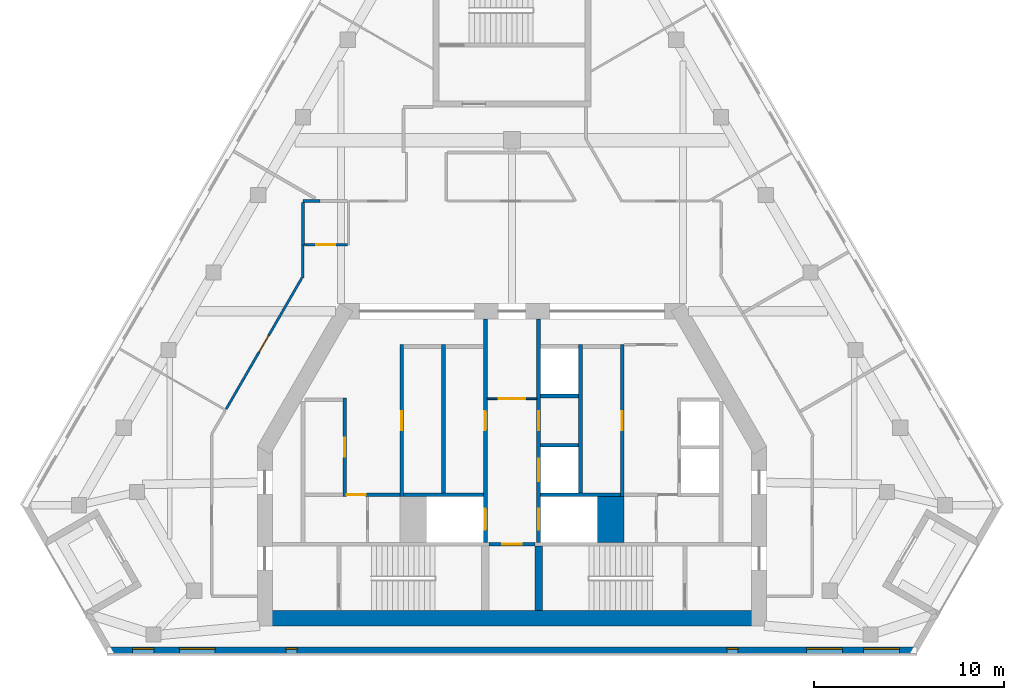
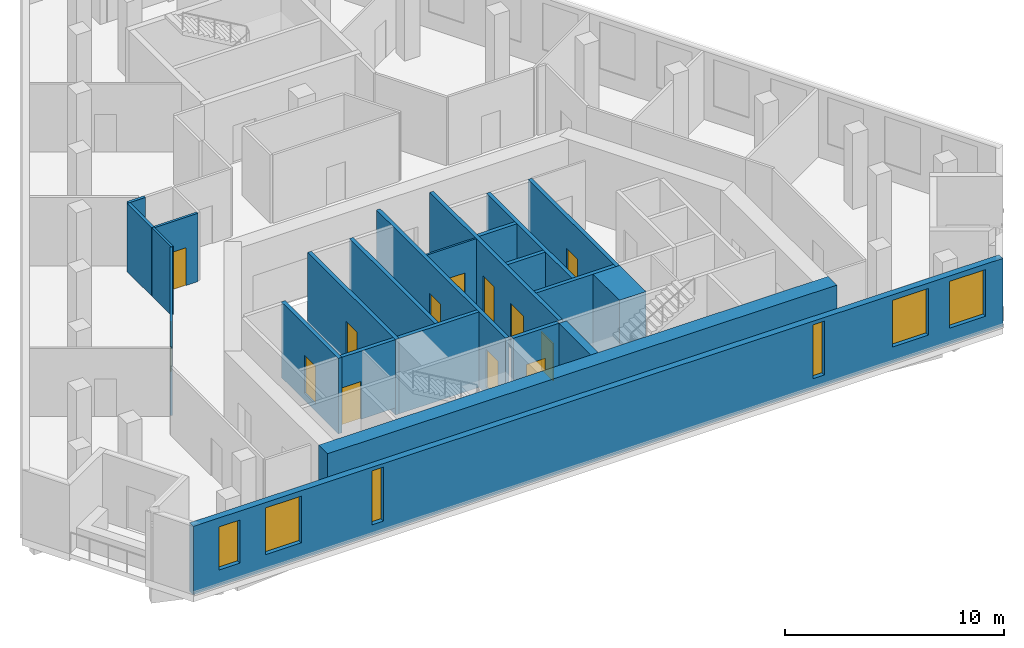
# One storey, part 3 of 8: 23 walls, 13 doors, 6 windows, 19 openings.
"""IFC4 building model written with IfcOpenShell, lengths in metres."""

from ifc_helpers import new_model, si_unit, direction, frame, frame_2d, origin, place, context, subcontext, project, spatial, rectangle, extrude, material, layer, layer_set, type_object, element, fill, save


model = new_model("IFC4")

# Units and contexts
model_context = context("Model", 3, precision=1e-05, world=origin(), true_north=direction((0.0, 1.0)))
body_context = subcontext(model_context, "Body", "Model", "MODEL_VIEW")
ifc_project = project(units=[si_unit("LENGTHUNIT", "METRE"), si_unit("AREAUNIT", "SQUARE_METRE"), si_unit("VOLUMEUNIT", "CUBIC_METRE"), si_unit("PLANEANGLEUNIT", "RADIAN"), si_unit("MASSUNIT", "GRAM", prefix="KILO")], contexts=[model_context])

# Site, building, storey
site_placement = place(None, origin())
site = spatial("IfcSite", under=ifc_project, at=site_placement, CompositionType="ELEMENT")
building_placement = place(site_placement, origin())
building = spatial("IfcBuilding", under=site, at=building_placement, Name="Fogline Exchange Tower", CompositionType="ELEMENT")
storey_placement = place(building_placement, frame((0.0, 0.0, 275.10009765625)))
storey = spatial("IfcBuildingStorey", under=building, at=storey_placement, Name="L62", CompositionType="ELEMENT", Elevation=275.10009765625)

# Wall, opening, door
ifc_material_1 = material(Name="Blockwork partition", Category="masonry")
ifc_layer_1 = layer(ifc_material_1, 0.10009765625)
ifc_layer_set_1 = layer_set([ifc_layer_1], Name="CW10")
wall_type_1 = type_object("IfcWallType", Name="CW10", PredefinedType="PARTITIONING", material=ifc_layer_set_1)
wall_1_placement = place(storey_placement, frame((-1.300048828125, 13.39990234375, 0.0), z_axis=(0.0, 0.0, 1.0), x_axis=(1.0, 0.0, 0.0)))
wall_1 = element("IfcWall", 1, at=wall_1_placement, inside=storey, type_object=wall_type_1, Name="Lift lobby partition", PredefinedType="PARTITIONING", context=body_context, shape_type="SweptSolid", body=[
    extrude(rectangle(XDim=2.60009765625, YDim=0.10009765625, at=frame_2d((1.300048828125, 0.0))), origin(), (0.0, 0.0, 1.0), 3.7998046875),
])
opening_1_placement = place(wall_1_placement, frame((0.60009765625, 0.0, 0.0)))
opening_1 = element("IfcOpeningElement", 2, at=opening_1_placement, cuts=wall_1, Name="Opening T19-C018", PredefinedType="OPENING", context=body_context, shape_type="SweptSolid", body=[
    extrude(rectangle(XDim=1.39990234375, YDim=2.10009765625, at=frame_2d((0.699951171875, 1.050048828125))), frame((0.0, 0.06005859375, 0.0), z_axis=(0.0, -1.0, 0.0), x_axis=(1.0, 0.0, 0.0)), (0.0, 0.0, 1.0), 0.1201171875),
])
ifc_material_2 = material(Name="Steel and timber fire door", Category="steel")
door_type_1 = type_object("IfcDoorType", Name="D-LB1", OperationType="DOUBLE_DOOR_SINGLE_SWING", PredefinedType="DOOR", material=ifc_material_2)
door_1_placement = place(opening_1_placement, origin())
door_1 = element("IfcDoor", 3, at=door_1_placement, inside=storey, type_object=door_type_1, Name="Door to firefighting lift lobby", OperationType="DOUBLE_DOOR_SINGLE_SWING", OverallHeight=2.10009765625, OverallWidth=1.39990234375, PredefinedType="DOOR", context=body_context, shape_type="SweptSolid", body=[
    extrude(rectangle(XDim=1.39990234375, YDim=2.10009765625, at=frame_2d((0.699951171875, 1.050048828125))), frame((0.0, 0.02490234375, 0.0), z_axis=(0.0, -1.0, 0.0), x_axis=(1.0, 0.0, 0.0)), (0.0, 0.0, 1.0), 0.050048828125),
])
fill(opening_1, door_1)

# Wall
ifc_material_3 = material(Name="Concrete C60", Category="concrete")
ifc_layer_2 = layer(ifc_material_3, 1.39990234375)
ifc_layer_set_2 = layer_set([ifc_layer_2], Name="CW140")
wall_type_2 = type_object("IfcWallType", Name="CW140", PredefinedType="SOLIDWALL", material=ifc_layer_set_2)
wall_2_placement = place(storey_placement, frame((5.199951171875, 5.85009765625, -0.400146484375), z_axis=(0.0, 0.0, 1.0), x_axis=(0.0, 1.0, 0.0)))
element("IfcWall", 4, at=wall_2_placement, inside=storey, type_object=wall_type_2, Name="Lift shaft block wall", PredefinedType="SOLIDWALL", context=body_context, shape_type="SweptSolid", body=[
    extrude(rectangle(XDim=2.39990234375, YDim=1.39990234375, at=frame_2d((1.199951171875, 0.0))), origin(), (0.0, 0.0, 1.0), 4.199951171875),
])

# Wall, opening, door
ifc_material_4 = material(Name="Concrete C40", Category="concrete")
ifc_layer_3 = layer(ifc_material_4, 0.199951171875)
ifc_layer_set_3 = layer_set([ifc_layer_3], Name="CW20")
wall_type_3 = type_object("IfcWallType", Name="CW20", PredefinedType="SOLIDWALL", material=ifc_layer_set_3)
wall_3_placement = place(storey_placement, frame((-8.699951171875, 8.35009765625, 0.0), z_axis=(0.0, 0.0, 1.0), x_axis=(1.0, 0.0, 0.0)))
wall_3 = element("IfcWall", 5, at=wall_3_placement, inside=storey, type_object=wall_type_3, Name="WC wall", PredefinedType="SOLIDWALL", context=body_context, shape_type="SweptSolid", body=[
    extrude(rectangle(XDim=2.800048828125, YDim=0.199951171875, at=frame_2d((1.39990234375, 0.0))), origin(), (0.0, 0.0, 1.0), 3.7998046875),
])
opening_2_placement = place(wall_3_placement, origin())
opening_2 = element("IfcOpeningElement", 6, at=opening_2_placement, cuts=wall_3, Name="Opening T19-C007", PredefinedType="OPENING", context=body_context, shape_type="SweptSolid", body=[
    extrude(rectangle(XDim=1.0, YDim=2.10009765625, at=frame_2d((0.5, 1.050048828125))), frame((0.0, 0.10986328125, 0.0), z_axis=(0.0, -1.0, 0.0), x_axis=(1.0, 0.0, 0.0)), (0.0, 0.0, 1.0), 0.219970703125),
])
door_type_2 = type_object("IfcDoorType", Name="D-WC1", OperationType="SINGLE_SWING_LEFT", PredefinedType="DOOR", material=ifc_material_2)
door_2_placement = place(opening_2_placement, frame((1.0, 0.0, 0.0), z_axis=(0.0, 0.0, 1.0), x_axis=(-1.0, 0.0, 0.0)))
door_2 = element("IfcDoor", 7, at=door_2_placement, inside=storey, type_object=door_type_2, Name="Door to Men's WC", OperationType="SINGLE_SWING_LEFT", OverallHeight=2.10009765625, OverallWidth=1.0, PredefinedType="DOOR", context=body_context, shape_type="SweptSolid", body=[
    extrude(rectangle(XDim=1.0, YDim=2.10009765625, at=frame_2d((0.5, 1.050048828125))), frame((0.0, 0.02490234375, 0.0), z_axis=(0.0, -1.0, 0.0), x_axis=(1.0, 0.0, 0.0)), (0.0, 0.0, 1.0), 0.050048828125),
])
fill(opening_2, door_2)

ifc_layer_4 = layer(ifc_material_4, 0.199951171875)
ifc_layer_set_4 = layer_set([ifc_layer_4], Name="CW20R")
wall_type_4 = type_object("IfcWallType", Name="CW20R", PredefinedType="SOLIDWALL", material=ifc_layer_set_4)
wall_4_placement = place(storey_placement, frame((-1.199951171875, 5.75, -0.400146484375), z_axis=(0.0, 0.0, 1.0), x_axis=(1.0, 0.0, 0.0)))
wall_4 = element("IfcWall", 8, at=wall_4_placement, inside=storey, type_object=wall_type_4, Name="Stair enclosure wall", PredefinedType="SOLIDWALL", context=body_context, shape_type="SweptSolid", body=[
    extrude(rectangle(XDim=2.39990234375, YDim=0.199951171875, at=frame_2d((1.199951171875, 0.0))), origin(), (0.0, 0.0, 1.0), 4.199951171875),
])
opening_3_placement = place(wall_4_placement, frame((0.699951171875, 0.0, 0.39990234375)))
opening_3 = element("IfcOpeningElement", 9, at=opening_3_placement, cuts=wall_4, Name="Opening T19-C006", PredefinedType="OPENING", context=body_context, shape_type="SweptSolid", body=[
    extrude(rectangle(XDim=1.0, YDim=2.10009765625, at=frame_2d((0.5, 1.050048828125))), frame((0.0, 0.10986328125, 0.0), z_axis=(0.0, -1.0, 0.0), x_axis=(1.0, 0.0, 0.0)), (0.0, 0.0, 1.0), 0.219970703125),
])
door_type_3 = type_object("IfcDoorType", Name="D-RM1", OperationType="SINGLE_SWING_LEFT", PredefinedType="DOOR", material=ifc_material_2)
door_3_placement = place(opening_3_placement, frame((1.0, 0.0, 0.0), z_axis=(0.0, 0.0, 1.0), x_axis=(-1.0, 0.0, 0.0)))
door_3 = element("IfcDoor", 10, at=door_3_placement, inside=storey, type_object=door_type_3, Name="Door to Archive Store", OperationType="SINGLE_SWING_RIGHT", OverallHeight=2.10009765625, OverallWidth=1.0, PredefinedType="DOOR", context=body_context, shape_type="SweptSolid", body=[
    extrude(rectangle(XDim=1.0, YDim=2.10009765625, at=frame_2d((0.5, 1.050048828125))), frame((0.0, 0.02490234375, 0.0), z_axis=(0.0, -1.0, 0.0), x_axis=(1.0, 0.0, 0.0)), (0.0, 0.0, 1.0), 0.050048828125),
])
fill(opening_3, door_3)

ifc_layer_5 = layer(ifc_material_4, 0.199951171875)
ifc_layer_set_5 = layer_set([ifc_layer_5], Name="CW20S")
wall_type_5 = type_object("IfcWallType", Name="CW20S", PredefinedType="SOLIDWALL", material=ifc_layer_set_5)
wall_5_placement = place(storey_placement, frame((-8.800048828125, 8.25, -0.400146484375), z_axis=(0.0, 0.0, 1.0), x_axis=(0.0, 1.0, 0.0)))
wall_5 = element("IfcWall", 11, at=wall_5_placement, inside=storey, type_object=wall_type_5, Name="Lift shaft wall", PredefinedType="SOLIDWALL", context=body_context, shape_type="SweptSolid", body=[
    extrude(rectangle(XDim=5.199951171875, YDim=0.199951171875, at=frame_2d((2.60009765625, 0.0))), origin(), (0.0, 0.0, 1.0), 4.199951171875),
])
opening_4_placement = place(wall_5_placement, frame((2.10009765625, 0.0, 0.39990234375)))
opening_4 = element("IfcOpeningElement", 12, at=opening_4_placement, cuts=wall_5, Name="Opening T19-C001", PredefinedType="OPENING", context=body_context, shape_type="SweptSolid", body=[
    extrude(rectangle(XDim=1.0, YDim=2.10009765625, at=frame_2d((0.5, 1.050048828125))), frame((0.0, 0.10986328125, 0.0), z_axis=(0.0, -1.0, 0.0), x_axis=(1.0, 0.0, 0.0)), (0.0, 0.0, 1.0), 0.219970703125),
])
door_4_placement = place(opening_4_placement, origin())
door_4 = element("IfcDoor", 13, at=door_4_placement, inside=storey, type_object=door_type_3, Name="Door to Reprographics Room", OperationType="SINGLE_SWING_RIGHT", OverallHeight=2.10009765625, OverallWidth=1.0, PredefinedType="DOOR", context=body_context, shape_type="SweptSolid", body=[
    extrude(rectangle(XDim=1.0, YDim=2.10009765625, at=frame_2d((0.5, 1.050048828125))), frame((0.0, 0.02490234375, 0.0), z_axis=(0.0, -1.0, 0.0), x_axis=(1.0, 0.0, 0.0)), (0.0, 0.0, 1.0), 0.050048828125),
])
fill(opening_4, door_4)

wall_6_placement = place(storey_placement, frame((-5.800048828125, 8.25, -0.400146484375), z_axis=(0.0, 0.0, 1.0), x_axis=(0.0, 1.0, 0.0)))
wall_6 = element("IfcWall", 14, at=wall_6_placement, inside=storey, type_object=wall_type_5, Name="Lift shaft wall", PredefinedType="SOLIDWALL", context=body_context, shape_type="SweptSolid", body=[
    extrude(rectangle(XDim=8.0, YDim=0.199951171875, at=frame_2d((4.0, 0.0))), origin(), (0.0, 0.0, 1.0), 4.199951171875),
])
opening_5_placement = place(wall_6_placement, frame((3.5, 0.0, 0.39990234375)))
opening_5 = element("IfcOpeningElement", 15, at=opening_5_placement, cuts=wall_6, Name="Opening T19-C002", PredefinedType="OPENING", context=body_context, shape_type="SweptSolid", body=[
    extrude(rectangle(XDim=1.0, YDim=2.10009765625, at=frame_2d((0.5, 1.050048828125))), frame((0.0, 0.10986328125, 0.0), z_axis=(0.0, -1.0, 0.0), x_axis=(1.0, 0.0, 0.0)), (0.0, 0.0, 1.0), 0.219970703125),
])
door_5_placement = place(opening_5_placement, frame((1.0, 0.0, 0.0), z_axis=(0.0, 0.0, 1.0), x_axis=(-1.0, 0.0, 0.0)))
door_5 = element("IfcDoor", 16, at=door_5_placement, inside=storey, type_object=door_type_3, Name="Door to Plant Room", OperationType="SINGLE_SWING_RIGHT", OverallHeight=2.10009765625, OverallWidth=1.0, PredefinedType="DOOR", context=body_context, shape_type="SweptSolid", body=[
    extrude(rectangle(XDim=1.0, YDim=2.10009765625, at=frame_2d((0.5, 1.050048828125))), frame((0.0, 0.02490234375, 0.0), z_axis=(0.0, -1.0, 0.0), x_axis=(1.0, 0.0, 0.0)), (0.0, 0.0, 1.0), 0.050048828125),
])
fill(opening_5, door_5)

wall_7_placement = place(storey_placement, frame((5.800048828125, 8.25, -0.400146484375), z_axis=(0.0, 0.0, 1.0), x_axis=(0.0, 1.0, 0.0)))
wall_7 = element("IfcWall", 17, at=wall_7_placement, inside=storey, type_object=wall_type_5, Name="Lift shaft wall", PredefinedType="SOLIDWALL", context=body_context, shape_type="SweptSolid", body=[
    extrude(rectangle(XDim=8.0, YDim=0.199951171875, at=frame_2d((4.0, 0.0))), origin(), (0.0, 0.0, 1.0), 4.199951171875),
])
opening_6_placement = place(wall_7_placement, frame((3.5, 0.0, 0.39990234375)))
opening_6 = element("IfcOpeningElement", 18, at=opening_6_placement, cuts=wall_7, Name="Opening T19-C004", PredefinedType="OPENING", context=body_context, shape_type="SweptSolid", body=[
    extrude(rectangle(XDim=1.0, YDim=2.10009765625, at=frame_2d((0.5, 1.050048828125))), frame((0.0, 0.10986328125, 0.0), z_axis=(0.0, -1.0, 0.0), x_axis=(1.0, 0.0, 0.0)), (0.0, 0.0, 1.0), 0.219970703125),
])
door_6_placement = place(opening_6_placement, origin())
door_6 = element("IfcDoor", 19, at=door_6_placement, inside=storey, type_object=door_type_3, Name="Door to Client Meeting Room", OperationType="SINGLE_SWING_LEFT", OverallHeight=2.10009765625, OverallWidth=1.0, PredefinedType="DOOR", context=body_context, shape_type="SweptSolid", body=[
    extrude(rectangle(XDim=1.0, YDim=2.10009765625, at=frame_2d((0.5, 1.050048828125))), frame((0.0, 0.02490234375, 0.0), z_axis=(0.0, -1.0, 0.0), x_axis=(1.0, 0.0, 0.0)), (0.0, 0.0, 1.0), 0.050048828125),
])
fill(opening_6, door_6)

# Walls
for number, where, z_axis, x_axis, name in (
    (20, (-3.60009765625, 8.449951171875, -0.400146484375), (0.0, 0.0, 1.0), (0.0, 1.0, 0.0), "Lift shaft wall"),
    (21, (3.60009765625, 8.449951171875, -0.400146484375), (0.0, 0.0, 1.0), (0.0, 1.0, 0.0), "Lift shaft wall"),
):
    element("IfcWall", number, at=place(storey_placement, frame(where, z_axis=z_axis, x_axis=x_axis)), inside=storey, type_object=wall_type_5, Name=name, PredefinedType="SOLIDWALL", context=body_context, shape_type="SweptSolid", body=[
        extrude(rectangle(XDim=7.800048828125, YDim=0.199951171875, at=frame_2d((3.89990234375, 0.0))), origin(), (0.0, 0.0, 1.0), 4.199951171875),
    ])

# Wall, openings, doors
wall_8_placement = place(storey_placement, frame((-1.39990234375, 5.85009765625, -0.400146484375), z_axis=(0.0, 0.0, 1.0), x_axis=(0.0, 1.0, 0.0)))
wall_8 = element("IfcWall", 22, at=wall_8_placement, inside=storey, type_object=wall_type_5, Name="Lift lobby wall", PredefinedType="SOLIDWALL", context=body_context, shape_type="SweptSolid", body=[
    extrude(rectangle(XDim=11.75, YDim=0.199951171875, at=frame_2d((5.875, 0.0))), origin(), (0.0, 0.0, 1.0), 4.199951171875),
])
opening_7_placement = place(wall_8_placement, frame((0.64990234375, 0.0, 0.39990234375)))
opening_7 = element("IfcOpeningElement", 23, at=opening_7_placement, cuts=wall_8, Name="Opening T19-LD01", PredefinedType="OPENING", context=body_context, shape_type="SweptSolid", body=[
    extrude(rectangle(XDim=1.10009765625, YDim=2.10009765625, at=frame_2d((0.550048828125, 1.050048828125))), frame((0.0, 0.10986328125, 0.0), z_axis=(0.0, -1.0, 0.0), x_axis=(1.0, 0.0, 0.0)), (0.0, 0.0, 1.0), 0.219970703125),
])
opening_8_placement = place(wall_8_placement, frame((5.89990234375, 0.0, 0.39990234375)))
opening_8 = element("IfcOpeningElement", 24, at=opening_8_placement, cuts=wall_8, Name="Opening T19-C003", PredefinedType="OPENING", context=body_context, shape_type="SweptSolid", body=[
    extrude(rectangle(XDim=1.0, YDim=2.10009765625, at=frame_2d((0.5, 1.050048828125))), frame((0.0, 0.10986328125, 0.0), z_axis=(0.0, -1.0, 0.0), x_axis=(1.0, 0.0, 0.0)), (0.0, 0.0, 1.0), 0.219970703125),
])
door_7_placement = place(opening_8_placement, origin())
door_7 = element("IfcDoor", 25, at=door_7_placement, inside=storey, type_object=door_type_3, Name="Door to Archive", OperationType="SINGLE_SWING_LEFT", OverallHeight=2.10009765625, OverallWidth=1.0, PredefinedType="DOOR", context=body_context, shape_type="SweptSolid", body=[
    extrude(rectangle(XDim=1.0, YDim=2.10009765625, at=frame_2d((0.5, 1.050048828125))), frame((0.0, 0.02490234375, 0.0), z_axis=(0.0, -1.0, 0.0), x_axis=(1.0, 0.0, 0.0)), (0.0, 0.0, 1.0), 0.050048828125),
])
fill(opening_8, door_7)
door_type_4 = type_object("IfcDoorType", Name="LD2", OperationType="SLIDING_TO_RIGHT", PredefinedType="DOOR", material=ifc_material_2)
door_8_placement = place(opening_7_placement, origin())
door_8 = element("IfcDoor", 26, at=door_8_placement, inside=storey, type_object=door_type_4, Name="Landing door FF1", OperationType="SLIDING_TO_RIGHT", OverallHeight=2.10009765625, OverallWidth=1.10009765625, PredefinedType="DOOR", context=body_context, shape_type="SweptSolid", body=[
    extrude(rectangle(XDim=1.10009765625, YDim=2.10009765625, at=frame_2d((0.550048828125, 1.050048828125))), frame((0.0, 0.02490234375, 0.0), z_axis=(0.0, -1.0, 0.0), x_axis=(1.0, 0.0, 0.0)), (0.0, 0.0, 1.0), 0.050048828125),
])
fill(opening_7, door_8)

wall_9_placement = place(storey_placement, frame((1.39990234375, 5.85009765625, -0.400146484375), z_axis=(0.0, 0.0, 1.0), x_axis=(0.0, 1.0, 0.0)))
wall_9 = element("IfcWall", 27, at=wall_9_placement, inside=storey, type_object=wall_type_5, Name="Lift lobby wall", PredefinedType="SOLIDWALL", context=body_context, shape_type="SweptSolid", body=[
    extrude(rectangle(XDim=11.75, YDim=0.199951171875, at=frame_2d((5.875, 0.0))), origin(), (0.0, 0.0, 1.0), 4.199951171875),
])
opening_9_placement = place(wall_9_placement, frame((3.199951171875, 0.0, 0.39990234375)))
opening_9 = element("IfcOpeningElement", 28, at=opening_9_placement, cuts=wall_9, Name="Opening T19-LD04", PredefinedType="OPENING", context=body_context, shape_type="SweptSolid", body=[
    extrude(rectangle(XDim=1.199951171875, YDim=2.10009765625, at=frame_2d((0.60009765625, 1.050048828125))), frame((0.0, 0.10986328125, 0.0), z_axis=(0.0, -1.0, 0.0), x_axis=(1.0, 0.0, 0.0)), (0.0, 0.0, 1.0), 0.219970703125),
])
opening_10_placement = place(wall_9_placement, frame((0.64990234375, 0.0, 0.39990234375)))
opening_10 = element("IfcOpeningElement", 29, at=opening_10_placement, cuts=wall_9, Name="Opening T19-LD05", PredefinedType="OPENING", context=body_context, shape_type="SweptSolid", body=[
    extrude(rectangle(XDim=1.10009765625, YDim=2.10009765625, at=frame_2d((0.550048828125, 1.050048828125))), frame((0.0, 0.10986328125, 0.0), z_axis=(0.0, -1.0, 0.0), x_axis=(1.0, 0.0, 0.0)), (0.0, 0.0, 1.0), 0.219970703125),
])
opening_11_placement = place(wall_9_placement, frame((5.89990234375, 0.0, 0.39990234375)))
opening_11 = element("IfcOpeningElement", 30, at=opening_11_placement, cuts=wall_9, Name="Opening T19-C005", PredefinedType="OPENING", context=body_context, shape_type="SweptSolid", body=[
    extrude(rectangle(XDim=1.0, YDim=2.10009765625, at=frame_2d((0.5, 1.050048828125))), frame((0.0, 0.10986328125, 0.0), z_axis=(0.0, -1.0, 0.0), x_axis=(1.0, 0.0, 0.0)), (0.0, 0.0, 1.0), 0.219970703125),
])
door_9_placement = place(opening_11_placement, frame((1.0, 0.0, 0.0), z_axis=(0.0, 0.0, 1.0), x_axis=(-1.0, 0.0, 0.0)))
door_9 = element("IfcDoor", 31, at=door_9_placement, inside=storey, type_object=door_type_3, Name="Door to Stationery Store", OperationType="SINGLE_SWING_RIGHT", OverallHeight=2.10009765625, OverallWidth=1.0, PredefinedType="DOOR", context=body_context, shape_type="SweptSolid", body=[
    extrude(rectangle(XDim=1.0, YDim=2.10009765625, at=frame_2d((0.5, 1.050048828125))), frame((0.0, 0.02490234375, 0.0), z_axis=(0.0, -1.0, 0.0), x_axis=(1.0, 0.0, 0.0)), (0.0, 0.0, 1.0), 0.050048828125),
])
fill(opening_11, door_9)
door_type_5 = type_object("IfcDoorType", Name="LD1", OperationType="SLIDING_TO_LEFT", PredefinedType="DOOR", material=ifc_material_2)
door_10_placement = place(opening_9_placement, origin())
door_10 = element("IfcDoor", 32, at=door_10_placement, inside=storey, type_object=door_type_5, Name="Landing door HR3", OperationType="SLIDING_TO_LEFT", OverallHeight=2.10009765625, OverallWidth=1.199951171875, PredefinedType="DOOR", context=body_context, shape_type="SweptSolid", body=[
    extrude(rectangle(XDim=1.199951171875, YDim=2.10009765625, at=frame_2d((0.60009765625, 1.050048828125))), frame((0.0, 0.02490234375, 0.0), z_axis=(0.0, -1.0, 0.0), x_axis=(1.0, 0.0, 0.0)), (0.0, 0.0, 1.0), 0.050048828125),
])
fill(opening_9, door_10)
door_11_placement = place(opening_10_placement, origin())
door_11 = element("IfcDoor", 33, at=door_11_placement, inside=storey, type_object=door_type_4, Name="Landing door FF2", OperationType="SLIDING_TO_RIGHT", OverallHeight=2.10009765625, OverallWidth=1.10009765625, PredefinedType="DOOR", context=body_context, shape_type="SweptSolid", body=[
    extrude(rectangle(XDim=1.10009765625, YDim=2.10009765625, at=frame_2d((0.550048828125, 1.050048828125))), frame((0.0, 0.02490234375, 0.0), z_axis=(0.0, -1.0, 0.0), x_axis=(1.0, 0.0, 0.0)), (0.0, 0.0, 1.0), 0.050048828125),
])
fill(opening_10, door_11)

# Walls
for number, where, z_axis, x_axis, name in (
    (34, (-5.699951171875, 8.35009765625, -0.400146484375), (0.0, 0.0, 1.0), (1.0, 0.0, 0.0), "Lift shaft wall"),
    (35, (1.5, 8.35009765625, -0.400146484375), (0.0, 0.0, 1.0), (1.0, 0.0, 0.0), "Lift shaft wall"),
):
    element("IfcWall", number, at=place(storey_placement, frame(where, z_axis=z_axis, x_axis=x_axis)), inside=storey, type_object=wall_type_5, Name=name, PredefinedType="SOLIDWALL", context=body_context, shape_type="SweptSolid", body=[
        extrude(rectangle(XDim=4.199951171875, YDim=0.199951171875, at=frame_2d((2.10009765625, 0.0))), origin(), (0.0, 0.0, 1.0), 4.199951171875),
    ])
for number, where, z_axis, x_axis, name in (
    (36, (1.5, 10.949951171875, -0.400146484375), (0.0, 0.0, 1.0), (1.0, 0.0, 0.0), "Lift shaft wall"),
    (37, (1.5, 13.550048828125, -0.400146484375), (0.0, 0.0, 1.0), (1.0, 0.0, 0.0), "Lift shaft wall"),
):
    element("IfcWall", number, at=place(storey_placement, frame(where, z_axis=z_axis, x_axis=x_axis)), inside=storey, type_object=wall_type_5, Name=name, PredefinedType="SOLIDWALL", context=body_context, shape_type="SweptSolid", body=[
        extrude(rectangle(XDim=2.0, YDim=0.199951171875, at=frame_2d((1.0, 0.0))), origin(), (0.0, 0.0, 1.0), 4.199951171875),
    ])
ifc_layer_6 = layer(ifc_material_4, 0.39990234375)
ifc_layer_set_6 = layer_set([ifc_layer_6], Name="CW40R")
wall_type_6 = type_object("IfcWallType", Name="CW40R", PredefinedType="SOLIDWALL", material=ifc_layer_set_6)
wall_10_placement = place(storey_placement, frame((1.39990234375, 2.25, -0.400146484375), z_axis=(0.0, 0.0, 1.0), x_axis=(0.0, 1.0, 0.0)))
element("IfcWall", 38, at=wall_10_placement, inside=storey, type_object=wall_type_6, Name="Stair and lift shaft wall", PredefinedType="SOLIDWALL", context=body_context, shape_type="SweptSolid", body=[
    extrude(rectangle(XDim=3.39990234375, YDim=0.39990234375, at=frame_2d((1.699951171875, 0.0))), origin(), (0.0, 0.0, 1.0), 4.199951171875),
])

# Wall, openings, windows
ifc_material_5 = material(Name="Brick masonry", Category="masonry")
ifc_layer_7 = layer(ifc_material_5, 0.340087890625)
ifc_layer_set_7 = layer_set([ifc_layer_7], Name="FW1")
wall_type_7 = type_object("IfcWallType", Name="FW1", PredefinedType="SOLIDWALL", material=ifc_layer_set_7)
wall_11_placement = place(storey_placement, frame((-21.296875, 0.169921875, 0.0), z_axis=(0.0, 0.0, 1.0), x_axis=(1.0, 0.0, 0.0)))
wall_11 = element("IfcWall", 39, at=wall_11_placement, inside=storey, type_object=wall_type_7, Name="Brick wall L62 S", PredefinedType="SOLIDWALL", context=body_context, shape_type="SweptSolid", body=[
    extrude(rectangle(XDim=42.59375, YDim=0.340087890625, at=frame_2d((21.296875, 0.0))), origin(), (0.0, 0.0, 1.0), 3.7998046875),
])
opening_12_placement = place(wall_11_placement, frame((3.796875, 0.0, 0.89990234375)))
opening_12 = element("IfcOpeningElement", 40, at=opening_12_placement, cuts=wall_11, Name="Opening W3", PredefinedType="OPENING", context=body_context, shape_type="SweptSolid", body=[
    extrude(rectangle(XDim=1.885009765625, YDim=2.60009765625, at=frame_2d((0.9423828125, 1.300048828125))), frame((0.0, 0.18017578125, 0.0), z_axis=(0.0, -1.0, 0.0), x_axis=(1.0, 0.0, 0.0)), (0.0, 0.0, 1.0), 0.360107421875),
])
opening_13_placement = place(wall_11_placement, frame((36.796875, 0.0, 0.89990234375)))
opening_13 = element("IfcOpeningElement", 41, at=opening_13_placement, cuts=wall_11, Name="Opening W3", PredefinedType="OPENING", context=body_context, shape_type="SweptSolid", body=[
    extrude(rectangle(XDim=1.885009765625, YDim=2.60009765625, at=frame_2d((0.9423828125, 1.300048828125))), frame((0.0, 0.18017578125, 0.0), z_axis=(0.0, -1.0, 0.0), x_axis=(1.0, 0.0, 0.0)), (0.0, 0.0, 1.0), 0.360107421875),
])
opening_14_placement = place(wall_11_placement, frame((39.796875, 0.0, 0.89990234375)))
opening_14 = element("IfcOpeningElement", 42, at=opening_14_placement, cuts=wall_11, Name="Opening W3", PredefinedType="OPENING", context=body_context, shape_type="SweptSolid", body=[
    extrude(rectangle(XDim=1.885009765625, YDim=2.60009765625, at=frame_2d((0.9423828125, 1.300048828125))), frame((0.0, 0.18017578125, 0.0), z_axis=(0.0, -1.0, 0.0), x_axis=(1.0, 0.0, 0.0)), (0.0, 0.0, 1.0), 0.360107421875),
])
opening_15_placement = place(wall_11_placement, frame((1.341064453125, 0.0, 0.89990234375)))
opening_15 = element("IfcOpeningElement", 43, at=opening_15_placement, cuts=wall_11, Name="Opening W4", PredefinedType="OPENING", context=body_context, shape_type="SweptSolid", body=[
    extrude(rectangle(XDim=1.114990234375, YDim=2.39990234375, at=frame_2d((0.5576171875, 1.199951171875))), frame((0.0, 0.18017578125, 0.0), z_axis=(0.0, -1.0, 0.0), x_axis=(1.0, 0.0, 0.0)), (0.0, 0.0, 1.0), 0.360107421875),
])
opening_16_placement = place(wall_11_placement, frame((9.39697265625, 0.0, 0.60009765625)))
opening_16 = element("IfcOpeningElement", 44, at=opening_16_placement, cuts=wall_11, Name="Opening W5", PredefinedType="OPENING", context=body_context, shape_type="SweptSolid", body=[
    extrude(rectangle(XDim=0.60009765625, YDim=3.0, at=frame_2d((0.300048828125, 1.5))), frame((0.0, 0.18017578125, 0.0), z_axis=(0.0, -1.0, 0.0), x_axis=(1.0, 0.0, 0.0)), (0.0, 0.0, 1.0), 0.360107421875),
])
opening_17_placement = place(wall_11_placement, frame((32.596923828125, 0.0, 0.60009765625)))
opening_17 = element("IfcOpeningElement", 45, at=opening_17_placement, cuts=wall_11, Name="Opening W5", PredefinedType="OPENING", context=body_context, shape_type="SweptSolid", body=[
    extrude(rectangle(XDim=0.60009765625, YDim=3.0, at=frame_2d((0.300048828125, 1.5))), frame((0.0, 0.18017578125, 0.0), z_axis=(0.0, -1.0, 0.0), x_axis=(1.0, 0.0, 0.0)), (0.0, 0.0, 1.0), 0.360107421875),
])
ifc_material_6 = material(Name="Aluminium and glass", Category="aluminium")
window_type_1 = type_object("IfcWindowType", Name="W3", PartitioningType="SINGLE_PANEL", PredefinedType="WINDOW", material=ifc_material_6)
window_1_placement = place(opening_12_placement, origin())
window_1 = element("IfcWindow", 46, at=window_1_placement, inside=storey, type_object=window_type_1, Name="W3 W3", OverallHeight=2.60009765625, OverallWidth=1.885009765625, PartitioningType="SINGLE_PANEL", PredefinedType="WINDOW", context=body_context, shape_type="SweptSolid", body=[
    extrude(rectangle(XDim=1.885009765625, YDim=2.60009765625, at=frame_2d((0.9423828125, 1.300048828125))), frame((0.0, 0.110107421875, 0.0), z_axis=(0.0, -1.0, 0.0), x_axis=(1.0, 0.0, 0.0)), (0.0, 0.0, 1.0), 0.06005859375),
])
fill(opening_12, window_1)
window_2_placement = place(opening_13_placement, origin())
window_2 = element("IfcWindow", 47, at=window_2_placement, inside=storey, type_object=window_type_1, Name="W3 W3", OverallHeight=2.60009765625, OverallWidth=1.885009765625, PartitioningType="SINGLE_PANEL", PredefinedType="WINDOW", context=body_context, shape_type="SweptSolid", body=[
    extrude(rectangle(XDim=1.885009765625, YDim=2.60009765625, at=frame_2d((0.9423828125, 1.300048828125))), frame((0.0, 0.110107421875, 0.0), z_axis=(0.0, -1.0, 0.0), x_axis=(1.0, 0.0, 0.0)), (0.0, 0.0, 1.0), 0.06005859375),
])
fill(opening_13, window_2)
window_3_placement = place(opening_14_placement, origin())
window_3 = element("IfcWindow", 48, at=window_3_placement, inside=storey, type_object=window_type_1, Name="W3 W3", OverallHeight=2.60009765625, OverallWidth=1.885009765625, PartitioningType="SINGLE_PANEL", PredefinedType="WINDOW", context=body_context, shape_type="SweptSolid", body=[
    extrude(rectangle(XDim=1.885009765625, YDim=2.60009765625, at=frame_2d((0.9423828125, 1.300048828125))), frame((0.0, 0.110107421875, 0.0), z_axis=(0.0, -1.0, 0.0), x_axis=(1.0, 0.0, 0.0)), (0.0, 0.0, 1.0), 0.06005859375),
])
fill(opening_14, window_3)
window_type_2 = type_object("IfcWindowType", Name="W4", PartitioningType="SINGLE_PANEL", PredefinedType="WINDOW", material=ifc_material_6)
window_4_placement = place(opening_15_placement, origin())
window_4 = element("IfcWindow", 49, at=window_4_placement, inside=storey, type_object=window_type_2, Name="W4 W4", OverallHeight=2.39990234375, OverallWidth=1.114990234375, PartitioningType="SINGLE_PANEL", PredefinedType="WINDOW", context=body_context, shape_type="SweptSolid", body=[
    extrude(rectangle(XDim=1.114990234375, YDim=2.39990234375, at=frame_2d((0.5576171875, 1.199951171875))), frame((0.0, 0.110107421875, 0.0), z_axis=(0.0, -1.0, 0.0), x_axis=(1.0, 0.0, 0.0)), (0.0, 0.0, 1.0), 0.06005859375),
])
fill(opening_15, window_4)
window_type_3 = type_object("IfcWindowType", Name="W5", PartitioningType="SINGLE_PANEL", PredefinedType="WINDOW", material=ifc_material_6)
window_5_placement = place(opening_16_placement, origin())
window_5 = element("IfcWindow", 50, at=window_5_placement, inside=storey, type_object=window_type_3, Name="W5 W5", OverallHeight=3.0, OverallWidth=0.60009765625, PartitioningType="SINGLE_PANEL", PredefinedType="WINDOW", context=body_context, shape_type="SweptSolid", body=[
    extrude(rectangle(XDim=0.60009765625, YDim=3.0, at=frame_2d((0.300048828125, 1.5))), frame((0.0, 0.110107421875, 0.0), z_axis=(0.0, -1.0, 0.0), x_axis=(1.0, 0.0, 0.0)), (0.0, 0.0, 1.0), 0.06005859375),
])
fill(opening_16, window_5)
window_6_placement = place(opening_17_placement, origin())
window_6 = element("IfcWindow", 51, at=window_6_placement, inside=storey, type_object=window_type_3, Name="W5 W5", OverallHeight=3.0, OverallWidth=0.60009765625, PartitioningType="SINGLE_PANEL", PredefinedType="WINDOW", context=body_context, shape_type="SweptSolid", body=[
    extrude(rectangle(XDim=0.60009765625, YDim=3.0, at=frame_2d((0.300048828125, 1.5))), frame((0.0, 0.110107421875, 0.0), z_axis=(0.0, -1.0, 0.0), x_axis=(1.0, 0.0, 0.0)), (0.0, 0.0, 1.0), 0.06005859375),
])
fill(opening_17, window_6)

# Wall, opening, door
ifc_material_7 = material(Name="Plasterboard corridor partition with mineral wool, 2 layers each side")
ifc_layer_8 = layer(ifc_material_7, 0.125)
ifc_layer_set_8 = layer_set([ifc_layer_8], Name="PW2")
wall_type_8 = type_object("IfcWallType", Name="PW2", PredefinedType="PARTITIONING", material=ifc_layer_set_8)
wall_12_placement = place(storey_placement, frame((-10.925048828125, 21.5, 0.0), z_axis=(0.0, 0.0, 1.0), x_axis=(1.0, 0.0, 0.0)))
wall_12 = element("IfcWall", 52, at=wall_12_placement, inside=storey, type_object=wall_type_8, Name="wall-L62-W011", PredefinedType="PARTITIONING", context=body_context, shape_type="SweptSolid", body=[
    extrude(rectangle(XDim=2.262451171875, YDim=0.125, at=frame_2d((1.13134765625, 0.0))), origin(), (0.0, 0.0, 1.0), 3.7998046875),
])
opening_18_placement = place(wall_12_placement, frame((0.63134765625, 0.0, 0.0)))
opening_18 = element("IfcOpeningElement", 53, at=opening_18_placement, cuts=wall_12, Name="Opening T19-D007", PredefinedType="OPENING", context=body_context, shape_type="SweptSolid", body=[
    extrude(rectangle(XDim=1.0, YDim=2.10009765625, at=frame_2d((0.5, 1.050048828125))), frame((0.0, 0.072509765625, 0.0), z_axis=(0.0, -1.0, 0.0), x_axis=(1.0, 0.0, 0.0)), (0.0, 0.0, 1.0), 0.14501953125),
])
ifc_material_8 = material(Name="Fire-rated timber door leaf with steel frame", Category="steel")
door_type_6 = type_object("IfcDoorType", Name="D3", OperationType="SINGLE_SWING_LEFT", PredefinedType="DOOR", material=ifc_material_8)
door_12_placement = place(opening_18_placement, origin())
door_12 = element("IfcDoor", 54, at=door_12_placement, inside=storey, type_object=door_type_6, Name="door-L62-D007", OperationType="SINGLE_SWING_LEFT", OverallHeight=2.10009765625, OverallWidth=1.0, PredefinedType="DOOR", context=body_context, shape_type="SweptSolid", body=[
    extrude(rectangle(XDim=1.0, YDim=2.10009765625, at=frame_2d((0.5, 1.050048828125))), frame((0.0, 0.02490234375, 0.0), z_axis=(0.0, -1.0, 0.0), x_axis=(1.0, 0.0, 0.0)), (0.0, 0.0, 1.0), 0.050048828125),
])
fill(opening_18, door_12)

# Wall
wall_13_placement = place(storey_placement, frame((-11.0, 19.739990234375, 0.0), z_axis=(0.0, 0.0, 1.0), x_axis=(0.0, 1.0, 0.0)))
element("IfcWall", 55, at=wall_13_placement, inside=storey, type_object=wall_type_8, Name="wall-L62-W013", PredefinedType="PARTITIONING", context=body_context, shape_type="SweptSolid", body=[
    extrude(rectangle(XDim=1.760009765625, YDim=0.125, at=frame_2d((0.8798828125, 0.0))), origin(), (0.0, 0.0, 1.0), 3.7998046875),
])

# Wall, opening, door
wall_14_placement = place(storey_placement, frame((-15.040771484375, 12.849853515625, 0.0), z_axis=(0.0, 0.0, 1.0), x_axis=(0.499996916303, 0.86602718415, 0.0)))
wall_14 = element("IfcWall", 56, at=wall_14_placement, inside=storey, type_object=wall_type_8, Name="wall-L62-W014", PredefinedType="PARTITIONING", context=body_context, shape_type="SweptSolid", body=[
    extrude(rectangle(XDim=7.95654296875, YDim=0.125, at=frame_2d((3.978271484375, 0.0))), origin(), (0.0, 0.0, 1.0), 3.7998046875),
])
opening_19_placement = place(wall_14_placement, frame((3.478271484375, 0.0, 0.0)))
opening_19 = element("IfcOpeningElement", 57, at=opening_19_placement, cuts=wall_14, Name="Opening T19-D008", PredefinedType="OPENING", context=body_context, shape_type="SweptSolid", body=[
    extrude(rectangle(XDim=1.0, YDim=2.10009765625, at=frame_2d((0.5, 1.050048828125))), frame((0.0, 0.072509765625, 0.0), z_axis=(0.0, -1.0, 0.0), x_axis=(1.0, 0.0, 0.0)), (0.0, 0.0, 1.0), 0.14501953125),
])
door_13_placement = place(opening_19_placement, origin())
door_13 = element("IfcDoor", 58, at=door_13_placement, inside=storey, type_object=door_type_6, Name="door-L62-D008", OperationType="SINGLE_SWING_RIGHT", OverallHeight=2.10009765625, OverallWidth=1.0, PredefinedType="DOOR", context=body_context, shape_type="SweptSolid", body=[
    extrude(rectangle(XDim=1.0, YDim=2.10009765625, at=frame_2d((0.5, 1.050048828125))), frame((0.0, 0.02490234375, 0.0), z_axis=(0.0, -1.0, 0.0), x_axis=(1.0, 0.0, 0.0)), (0.0, 0.0, 1.0), 0.050048828125),
])
fill(opening_19, door_13)

# Walls
ifc_material_9 = material(Name="Plasterboard demising partition with mineral wool and acoustic board")
ifc_layer_9 = layer(ifc_material_9, 0.14990234375)
ifc_layer_set_9 = layer_set([ifc_layer_9], Name="PW3")
wall_type_9 = type_object("IfcWallType", Name="PW3", PredefinedType="PARTITIONING", material=ifc_layer_set_9)
wall_15_placement = place(storey_placement, frame((-11.0, 21.5, 0.0), z_axis=(0.0, 0.0, 1.0), x_axis=(0.0, 1.0, 0.0)))
element("IfcWall", 59, at=wall_15_placement, inside=storey, type_object=wall_type_9, Name="wall-L62-W036", PredefinedType="PARTITIONING", context=body_context, shape_type="SweptSolid", body=[
    extrude(rectangle(XDim=2.22509765625, YDim=0.14990234375, at=frame_2d((1.112548828125, 0.0))), origin(), (0.0, 0.0, 1.0), 3.7998046875),
])
wall_16_placement = place(storey_placement, frame((-11.0, 23.800048828125, 0.0), z_axis=(0.0, 0.0, 1.0), x_axis=(1.0, 0.0, 0.0)))
element("IfcWall", 60, at=wall_16_placement, inside=storey, type_object=wall_type_9, Name="wall-L62-W037", PredefinedType="PARTITIONING", context=body_context, shape_type="SweptSolid", body=[
    extrude(rectangle(XDim=0.89208984375, YDim=0.14990234375, at=frame_2d((0.446044921875, 0.0))), origin(), (0.0, 0.0, 1.0), 3.7998046875),
])
ifc_material_10 = material(Name="Concrete C50", Category="concrete")
ifc_layer_10 = layer(ifc_material_10, 0.800048828125)
ifc_layer_set_10 = layer_set([ifc_layer_10], Name="SW04")
wall_type_10 = type_object("IfcWallType", Name="SW04", PredefinedType="SHEAR", material=ifc_layer_set_10)
wall_17_placement = place(storey_placement, frame((-13.39990234375, 1.85009765625, 0.0), z_axis=(0.0, 0.0, 1.0), x_axis=(1.0, 0.0, 0.0)))
element("IfcWall", 61, at=wall_17_placement, inside=storey, type_object=wall_type_10, Name="L62-W901", PredefinedType="SHEAR", context=body_context, shape_type="SweptSolid", body=[
    extrude(rectangle(XDim=26.7998046875, YDim=0.800048828125, at=frame_2d((13.39990234375, 0.0))), origin(), (0.0, 0.0, 1.0), 4.199951171875),
])

save(model, "model.ifc")
